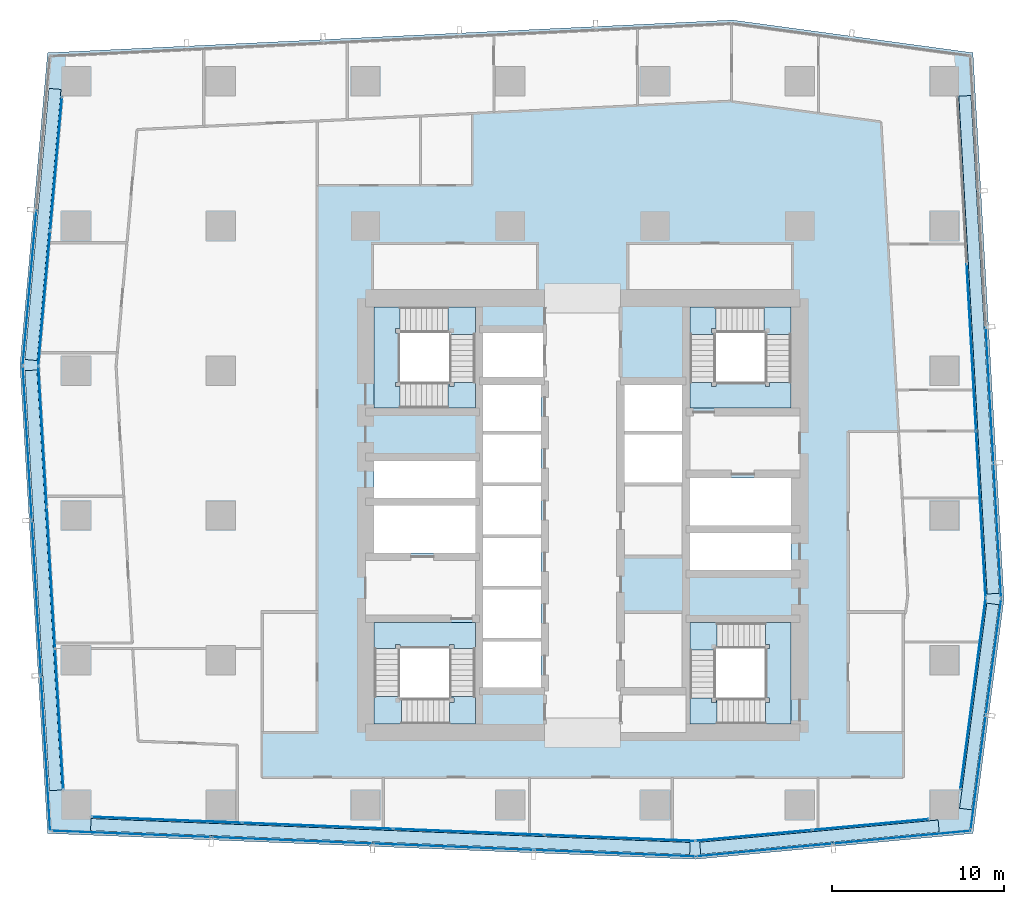
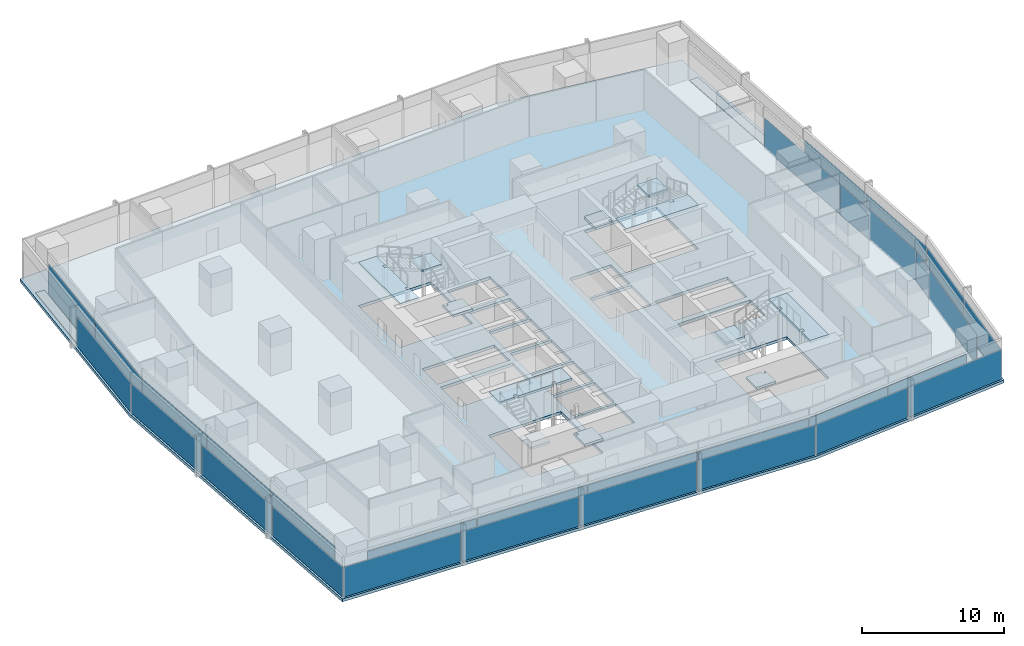
# One storey, part 26 of 39: 34 plates, 13 slabs, 16 elements without a shape of their own.
"""IFC4 building model written with IfcOpenShell, lengths in metres."""

from ifc_helpers import new_model, si_unit, direction, frame, origin, origin_2d, place, context, subcontext, project, spatial, polyline, rectangle, outline, extrude, material, layer, layer_set, type_object, element, aggregate, save


model = new_model("IFC4")

# Units and contexts
model_context = context("Model", 3, precision=1e-05, world=origin(), true_north=direction((0.0, 1.0)))
body_context = subcontext(model_context, "Body", "Model", "MODEL_VIEW")
ifc_project = project(units=[si_unit("LENGTHUNIT", "METRE"), si_unit("AREAUNIT", "SQUARE_METRE"), si_unit("VOLUMEUNIT", "CUBIC_METRE"), si_unit("PLANEANGLEUNIT", "RADIAN"), si_unit("MASSUNIT", "GRAM", prefix="KILO")], contexts=[model_context])

# Site, building, storey
site_placement = place(None, origin())
site = spatial("IfcSite", under=ifc_project, at=site_placement, CompositionType="ELEMENT")
building_placement = place(site_placement, origin())
building = spatial("IfcBuilding", under=site, at=building_placement, Name="Rekha Terrace Tower", CompositionType="ELEMENT")
storey_placement = place(building_placement, frame((0.0, 0.0, 183.949951171875)))
storey = spatial("IfcBuildingStorey", under=building, at=storey_placement, Name="L46", CompositionType="ELEMENT", Elevation=183.949951171875)

# Curtain wall, plates
ifc_material_1 = material(Name="Aluminium framing", Category="aluminium")
curtain_wall_type_1 = type_object("IfcCurtainWallType", Name="CW1 double skin inner glazing", PredefinedType="USERDEFINED", material=ifc_material_1)
curtain_wall_1_placement = place(storey_placement, origin())
curtain_wall_1 = element("IfcCurtainWall", 1, at=curtain_wall_1_placement, inside=storey, type_object=curtain_wall_type_1, Name="CW1 double skin inner glazing", ObjectType="DOUBLE SKIN INNER GLAZING", PredefinedType="USERDEFINED")
ifc_material_2 = material(Name="Double-glazed low-e unit 32", Category="glass")
ifc_layer_1 = layer(ifc_material_2, 0.031982421875)
ifc_layer_set_1 = layer_set([ifc_layer_1], Name="Double-glazed low-e unit 32")
plate_type_1 = type_object("IfcPlateType", Name="CW1 jumbo vision panel, double-glazed low-e unit 32", PredefinedType="CURTAIN_PANEL", material=ifc_layer_set_1)
plate_1_placement = place(storey_placement, frame((13.669677734375, 15.934814453125, 0.0), z_axis=(0.0, 0.0, 1.0), x_axis=(0.999204775799, -0.039872497044, 0.0)))
plate_1 = element("IfcPlate", 2, at=plate_1_placement, type_object=plate_type_1, Name="CW1 panel 1.1", PredefinedType="CURTAIN_PANEL", context=body_context, shape_type="SweptSolid", body=[
    extrude(rectangle(XDim=8.6689453125, YDim=0.031982421875, at=origin_2d()), origin(), (0.0, 0.0, 1.0), 2.60009765625),
])
plate_2_placement = place(storey_placement, frame((22.4130859375, 15.5859375, 0.0), z_axis=(0.0, 0.0, 1.0), x_axis=(0.999204775799, -0.039872497044, 0.0)))
plate_2 = element("IfcPlate", 3, at=plate_2_placement, type_object=plate_type_1, Name="CW1 panel 2.1", PredefinedType="CURTAIN_PANEL", context=body_context, shape_type="SweptSolid", body=[
    extrude(rectangle(XDim=8.701416015625, YDim=0.031982421875, at=origin_2d()), origin(), (0.0, 0.0, 1.0), 2.60009765625),
])
plate_3_placement = place(storey_placement, frame((31.172607421875, 15.236328125, 0.0), z_axis=(0.0, 0.0, 1.0), x_axis=(0.999204775799, -0.039872497044, 0.0)))
plate_3 = element("IfcPlate", 4, at=plate_3_placement, type_object=plate_type_1, Name="CW1 panel 3.1", PredefinedType="CURTAIN_PANEL", context=body_context, shape_type="SweptSolid", body=[
    extrude(rectangle(XDim=8.701416015625, YDim=0.031982421875, at=origin_2d()), origin(), (0.0, 0.0, 1.0), 2.60009765625),
])
plate_4_placement = place(storey_placement, frame((39.9482421875, 14.885986328125, 0.0), z_axis=(0.0, 0.0, 1.0), x_axis=(0.999204775799, -0.039872497044, 0.0)))
plate_4 = element("IfcPlate", 5, at=plate_4_placement, type_object=plate_type_1, Name="CW1 panel 4.1", PredefinedType="CURTAIN_PANEL", context=body_context, shape_type="SweptSolid", body=[
    extrude(rectangle(XDim=8.73388671875, YDim=0.031982421875, at=origin_2d()), origin(), (0.0, 0.0, 1.0), 2.60009765625),
])
aggregate(curtain_wall_1, [plate_1, plate_2, plate_3, plate_4])

curtain_wall_2_placement = place(storey_placement, origin())
curtain_wall_2 = element("IfcCurtainWall", 6, at=curtain_wall_2_placement, inside=storey, type_object=curtain_wall_type_1, Name="CW1 double skin inner glazing", ObjectType="DOUBLE SKIN INNER GLAZING", PredefinedType="USERDEFINED")
plate_5_placement = place(storey_placement, frame((47.73193359375, 15.030517578125, 0.0), z_axis=(0.0, 0.0, 1.0), x_axis=(0.995693258745, 0.092708869529, 0.0)))
plate_5 = element("IfcPlate", 7, at=plate_5_placement, type_object=plate_type_1, Name="CW1 panel 1.1", PredefinedType="CURTAIN_PANEL", context=body_context, shape_type="SweptSolid", body=[
    extrude(rectangle(XDim=6.739501953125, YDim=0.031982421875, at=origin_2d()), origin(), (0.0, 0.0, 1.0), 2.60009765625),
])
plate_6_placement = place(storey_placement, frame((54.507080078125, 15.6611328125, 0.0), z_axis=(0.0, 0.0, 1.0), x_axis=(0.995693258745, 0.092708869529, 0.0)))
plate_6 = element("IfcPlate", 8, at=plate_6_placement, type_object=plate_type_1, Name="CW1 panel 2.1", PredefinedType="CURTAIN_PANEL", context=body_context, shape_type="SweptSolid", body=[
    extrude(rectangle(XDim=6.739501953125, YDim=0.031982421875, at=origin_2d()), origin(), (0.0, 0.0, 1.0), 2.60009765625),
])
aggregate(curtain_wall_2, [plate_5, plate_6])

# Curtain wall, plate
curtain_wall_3_placement = place(storey_placement, origin())
curtain_wall_3 = element("IfcCurtainWall", 9, at=curtain_wall_3_placement, inside=storey, type_object=curtain_wall_type_1, Name="CW1 double skin inner glazing", ObjectType="DOUBLE SKIN INNER GLAZING", PredefinedType="USERDEFINED")
plate_7_placement = place(storey_placement, frame((60.4541015625, 23.253173828125, 0.0), z_axis=(0.0, 0.0, 1.0), x_axis=(0.131303603023, 0.991342203194, 0.0)))
plate_7 = element("IfcPlate", 10, at=plate_7_placement, type_object=plate_type_1, Name="CW1 panel 1.1", PredefinedType="CURTAIN_PANEL", context=body_context, shape_type="SweptSolid", body=[
    extrude(rectangle(XDim=11.150146484375, YDim=0.031982421875, at=origin_2d()), origin(), (0.0, 0.0, 1.0), 2.60009765625),
])
aggregate(curtain_wall_3, [plate_7])

# Curtain wall, plates
curtain_wall_4_placement = place(storey_placement, origin())
curtain_wall_4 = element("IfcCurtainWall", 11, at=curtain_wall_4_placement, inside=storey, type_object=curtain_wall_type_1, Name="CW1 double skin inner glazing", ObjectType="DOUBLE SKIN INNER GLAZING", PredefinedType="USERDEFINED")
plate_8_placement = place(storey_placement, frame((60.909423828125, 33.653564453125, 0.0), z_axis=(0.0, 0.0, 1.0), x_axis=(-0.056673194877, 0.998392782918, 0.0)))
plate_8 = element("IfcPlate", 12, at=plate_8_placement, type_object=plate_type_1, Name="CW1 panel 1.1", PredefinedType="CURTAIN_PANEL", context=body_context, shape_type="SweptSolid", body=[
    extrude(rectangle(XDim=9.633056640625, YDim=0.031982421875, at=origin_2d()), origin(), (0.0, 0.0, 1.0), 2.60009765625),
])
plate_9_placement = place(storey_placement, frame((60.35888671875, 43.352294921875, 0.0), z_axis=(0.0, 0.0, 1.0), x_axis=(-0.056673194877, 0.998392782918, 0.0)))
plate_9 = element("IfcPlate", 13, at=plate_9_placement, type_object=plate_type_1, Name="CW1 panel 2.1", PredefinedType="CURTAIN_PANEL", context=body_context, shape_type="SweptSolid", body=[
    extrude(rectangle(XDim=9.66552734375, YDim=0.031982421875, at=origin_2d()), origin(), (0.0, 0.0, 1.0), 2.60009765625),
])
aggregate(curtain_wall_4, [plate_8, plate_9])

curtain_wall_5_placement = place(storey_placement, origin())
curtain_wall_5 = element("IfcCurtainWall", 14, at=curtain_wall_5_placement, inside=storey, type_object=curtain_wall_type_1, Name="CW1 double skin inner glazing", ObjectType="DOUBLE SKIN INNER GLAZING", PredefinedType="USERDEFINED")
plate_10_placement = place(storey_placement, frame((7.2451171875, 54.007080078125, 0.0), z_axis=(0.0, 0.0, 1.0), x_axis=(-0.087957985488, -0.996124185425, 0.0)))
plate_10 = element("IfcPlate", 15, at=plate_10_placement, type_object=plate_type_1, Name="CW1 panel 1.1", PredefinedType="CURTAIN_PANEL", context=body_context, shape_type="SweptSolid", body=[
    extrude(rectangle(XDim=7.73876953125, YDim=0.031982421875, at=origin_2d()), origin(), (0.0, 0.0, 1.0), 2.60009765625),
])
plate_11_placement = place(storey_placement, frame((6.555908203125, 46.201171875, 0.0), z_axis=(0.0, 0.0, 1.0), x_axis=(-0.087957985488, -0.996124185425, 0.0)))
plate_11 = element("IfcPlate", 16, at=plate_11_placement, type_object=plate_type_1, Name="CW1 panel 2.1", PredefinedType="CURTAIN_PANEL", context=body_context, shape_type="SweptSolid", body=[
    extrude(rectangle(XDim=7.8037109375, YDim=0.031982421875, at=origin_2d()), origin(), (0.0, 0.0, 1.0), 2.60009765625),
])
aggregate(curtain_wall_5, [plate_10, plate_11])

curtain_wall_6_placement = place(storey_placement, origin())
curtain_wall_6 = element("IfcCurtainWall", 17, at=curtain_wall_6_placement, inside=storey, type_object=curtain_wall_type_1, Name="CW1 double skin inner glazing", ObjectType="DOUBLE SKIN INNER GLAZING", PredefinedType="USERDEFINED")
plate_12_placement = place(storey_placement, frame((6.455322265625, 38.191650390625, 0.0), z_axis=(0.0, 0.0, 1.0), x_axis=(0.058765082551, -0.998271839267, 0.0)))
plate_12 = element("IfcPlate", 18, at=plate_12_placement, type_object=plate_type_1, Name="CW1 panel 1.1", PredefinedType="CURTAIN_PANEL", context=body_context, shape_type="SweptSolid", body=[
    extrude(rectangle(XDim=8.129638671875, YDim=0.031982421875, at=origin_2d()), origin(), (0.0, 0.0, 1.0), 2.60009765625),
])
plate_13_placement = place(storey_placement, frame((6.93798828125, 29.9951171875, 0.0), z_axis=(0.0, 0.0, 1.0), x_axis=(0.058765082551, -0.998271839267, 0.0)))
plate_13 = element("IfcPlate", 19, at=plate_13_placement, type_object=plate_type_1, Name="CW1 panel 2.1", PredefinedType="CURTAIN_PANEL", context=body_context, shape_type="SweptSolid", body=[
    extrude(rectangle(XDim=8.162109375, YDim=0.031982421875, at=origin_2d()), origin(), (0.0, 0.0, 1.0), 2.60009765625),
])
plate_14_placement = place(storey_placement, frame((7.42041015625, 21.79833984375, 0.0), z_axis=(0.0, 0.0, 1.0), x_axis=(0.058765082551, -0.998271839267, 0.0)))
plate_14 = element("IfcPlate", 20, at=plate_14_placement, type_object=plate_type_1, Name="CW1 panel 3.1", PredefinedType="CURTAIN_PANEL", context=body_context, shape_type="SweptSolid", body=[
    extrude(rectangle(XDim=8.129638671875, YDim=0.031982421875, at=origin_2d()), origin(), (0.0, 0.0, 1.0), 2.60009765625),
])
aggregate(curtain_wall_6, [plate_12, plate_13, plate_14])

curtain_wall_type_2 = type_object("IfcCurtainWallType", Name="CW2 double skin outer glazing", PredefinedType="USERDEFINED", material=ifc_material_1)
curtain_wall_7_placement = place(storey_placement, origin())
curtain_wall_7 = element("IfcCurtainWall", 21, at=curtain_wall_7_placement, inside=storey, type_object=curtain_wall_type_2, Name="CW2 double skin outer glazing", ObjectType="DOUBLE SKIN OUTER GLAZING", PredefinedType="USERDEFINED")
ifc_material_3 = material(Name="Toughened single glazing 12", Category="glass")
ifc_layer_2 = layer(ifc_material_3, 0.011962890625)
ifc_layer_set_2 = layer_set([ifc_layer_2], Name="Toughened single glazing 12")
plate_type_2 = type_object("IfcPlateType", Name="CW2 jumbo vision panel, toughened single glazing 12", PredefinedType="CURTAIN_PANEL", material=ifc_layer_set_2)
plate_15_placement = place(storey_placement, frame((11.6005859375, 15.116455078125, 0.0), z_axis=(0.0, 0.0, 1.0), x_axis=(0.999204775799, -0.039872497044, 0.0)))
plate_15 = element("IfcPlate", 22, at=plate_15_placement, type_object=plate_type_2, Name="CW2 panel 1.1", PredefinedType="CURTAIN_PANEL", context=body_context, shape_type="SweptSolid", body=[
    extrude(rectangle(XDim=9.24609375, YDim=0.011962890625, at=origin_2d()), origin(), (0.0, 0.0, 1.0), 2.60009765625),
])
plate_16_placement = place(storey_placement, frame((20.939208984375, 14.743896484375, 0.0), z_axis=(0.0, 0.0, 1.0), x_axis=(0.999204775799, -0.039872497044, 0.0)))
plate_16 = element("IfcPlate", 23, at=plate_16_placement, type_object=plate_type_2, Name="CW2 panel 2.1", PredefinedType="CURTAIN_PANEL", context=body_context, shape_type="SweptSolid", body=[
    extrude(rectangle(XDim=9.2861328125, YDim=0.011962890625, at=origin_2d()), origin(), (0.0, 0.0, 1.0), 2.60009765625),
])
plate_17_placement = place(storey_placement, frame((30.2978515625, 14.370361328125, 0.0), z_axis=(0.0, 0.0, 1.0), x_axis=(0.999204775799, -0.039872497044, 0.0)))
plate_17 = element("IfcPlate", 24, at=plate_17_placement, type_object=plate_type_2, Name="CW2 panel 3.1", PredefinedType="CURTAIN_PANEL", context=body_context, shape_type="SweptSolid", body=[
    extrude(rectangle(XDim=9.2861328125, YDim=0.011962890625, at=origin_2d()), origin(), (0.0, 0.0, 1.0), 2.60009765625),
])
plate_18_placement = place(storey_placement, frame((39.676513671875, 13.996337890625, 0.0), z_axis=(0.0, 0.0, 1.0), x_axis=(0.999204775799, -0.039872497044, 0.0)))
plate_18 = element("IfcPlate", 25, at=plate_18_placement, type_object=plate_type_2, Name="CW2 panel 4.1", PredefinedType="CURTAIN_PANEL", context=body_context, shape_type="SweptSolid", body=[
    extrude(rectangle(XDim=9.326171875, YDim=0.011962890625, at=origin_2d()), origin(), (0.0, 0.0, 1.0), 2.60009765625),
])
aggregate(curtain_wall_7, [plate_15, plate_16, plate_17, plate_18])

curtain_wall_8_placement = place(storey_placement, origin())
curtain_wall_8 = element("IfcCurtainWall", 26, at=curtain_wall_8_placement, inside=storey, type_object=curtain_wall_type_2, Name="CW2 double skin outer glazing", ObjectType="DOUBLE SKIN OUTER GLAZING", PredefinedType="USERDEFINED")
plate_19_placement = place(storey_placement, frame((48.348876953125, 14.183837890625, 0.0), z_axis=(0.0, 0.0, 1.0), x_axis=(0.995693258747, 0.092708869512, 0.0)))
plate_19 = element("IfcPlate", 27, at=plate_19_placement, type_object=plate_type_2, Name="CW2 panel 1.1", PredefinedType="CURTAIN_PANEL", context=body_context, shape_type="SweptSolid", body=[
    extrude(rectangle(XDim=7.900634765625, YDim=0.011962890625, at=origin_2d()), origin(), (0.0, 0.0, 1.0), 2.60009765625),
])
plate_20_placement = place(storey_placement, frame((56.3349609375, 14.927490234375, 0.0), z_axis=(0.0, 0.0, 1.0), x_axis=(0.995693258747, 0.092708869512, 0.0)))
plate_20 = element("IfcPlate", 28, at=plate_20_placement, type_object=plate_type_2, Name="CW2 panel 2.1", PredefinedType="CURTAIN_PANEL", context=body_context, shape_type="SweptSolid", body=[
    extrude(rectangle(XDim=7.980712890625, YDim=0.011962890625, at=origin_2d()), origin(), (0.0, 0.0, 1.0), 2.60009765625),
])
aggregate(curtain_wall_8, [plate_19, plate_20])

curtain_wall_9_placement = place(storey_placement, origin())
curtain_wall_9 = element("IfcCurtainWall", 29, at=curtain_wall_9_placement, inside=storey, type_object=curtain_wall_type_2, Name="CW2 double skin outer glazing", ObjectType="DOUBLE SKIN OUTER GLAZING", PredefinedType="USERDEFINED")
plate_21_placement = place(storey_placement, frame((60.756103515625, 18.679443359375, 0.0), z_axis=(0.0, 0.0, 1.0), x_axis=(0.131303603075, 0.991342203187, 0.0)))
plate_21 = element("IfcPlate", 30, at=plate_21_placement, type_object=plate_type_2, Name="CW2 panel 1.1", PredefinedType="CURTAIN_PANEL", context=body_context, shape_type="SweptSolid", body=[
    extrude(rectangle(XDim=6.6630859375, YDim=0.011962890625, at=origin_2d()), origin(), (0.0, 0.0, 1.0), 2.60009765625),
])
plate_22_placement = place(storey_placement, frame((61.646728515625, 25.40380859375, 0.0), z_axis=(0.0, 0.0, 1.0), x_axis=(0.131303603075, 0.991342203187, 0.0)))
plate_22 = element("IfcPlate", 31, at=plate_22_placement, type_object=plate_type_2, Name="CW2 panel 2.1", PredefinedType="CURTAIN_PANEL", context=body_context, shape_type="SweptSolid", body=[
    extrude(rectangle(XDim=6.742919921875, YDim=0.011962890625, at=origin_2d()), origin(), (0.0, 0.0, 1.0), 2.60009765625),
])
aggregate(curtain_wall_9, [plate_21, plate_22])

curtain_wall_10_placement = place(storey_placement, origin())
curtain_wall_10 = element("IfcCurtainWall", 32, at=curtain_wall_10_placement, inside=storey, type_object=curtain_wall_type_2, Name="CW2 double skin outer glazing", ObjectType="DOUBLE SKIN OUTER GLAZING", PredefinedType="USERDEFINED")
plate_23_placement = place(storey_placement, frame((61.8642578125, 32.71142578125, 0.0), z_axis=(0.0, 0.0, 1.0), x_axis=(-0.05667319486, 0.998392782919, 0.0)))
plate_23 = element("IfcPlate", 33, at=plate_23_placement, type_object=plate_type_2, Name="CW2 panel 1.1", PredefinedType="CURTAIN_PANEL", context=body_context, shape_type="SweptSolid", body=[
    extrude(rectangle(XDim=7.783447265625, YDim=0.011962890625, at=origin_2d()), origin(), (0.0, 0.0, 1.0), 2.60009765625),
])
plate_24_placement = place(storey_placement, frame((61.41748046875, 40.582275390625, 0.0), z_axis=(0.0, 0.0, 1.0), x_axis=(-0.05667319486, 0.998392782919, 0.0)))
plate_24 = element("IfcPlate", 34, at=plate_24_placement, type_object=plate_type_2, Name="CW2 panel 2.1", PredefinedType="CURTAIN_PANEL", context=body_context, shape_type="SweptSolid", body=[
    extrude(rectangle(XDim=7.823486328125, YDim=0.011962890625, at=origin_2d()), origin(), (0.0, 0.0, 1.0), 2.60009765625),
])
aggregate(curtain_wall_10, [plate_23, plate_24])

# Curtain wall, plate
curtain_wall_11_placement = place(storey_placement, origin())
curtain_wall_11 = element("IfcCurtainWall", 35, at=curtain_wall_11_placement, inside=storey, type_object=curtain_wall_type_2, Name="CW2 double skin outer glazing", ObjectType="DOUBLE SKIN OUTER GLAZING", PredefinedType="USERDEFINED")
plate_25_placement = place(storey_placement, frame((5.705322265625, 46.800048828125, 0.0), z_axis=(0.0, 0.0, 1.0), x_axis=(-0.087957985453, -0.996124185428, 0.0)))
plate_25 = element("IfcPlate", 36, at=plate_25_placement, type_object=plate_type_2, Name="CW2 panel 2.1", PredefinedType="CURTAIN_PANEL", context=body_context, shape_type="SweptSolid", body=[
    extrude(rectangle(XDim=8.9794921875, YDim=0.011962890625, at=origin_2d()), origin(), (0.0, 0.0, 1.0), 2.60009765625),
])
aggregate(curtain_wall_11, [plate_25])

# Curtain wall, plates
curtain_wall_12_placement = place(storey_placement, origin())
curtain_wall_12 = element("IfcCurtainWall", 37, at=curtain_wall_12_placement, inside=storey, type_object=curtain_wall_type_2, Name="CW2 double skin outer glazing", ObjectType="DOUBLE SKIN OUTER GLAZING", PredefinedType="USERDEFINED")
plate_26_placement = place(storey_placement, frame((5.57666015625, 37.8037109375, 0.0), z_axis=(0.0, 0.0, 1.0), x_axis=(0.058765082499, -0.99827183927, 0.0)))
plate_26 = element("IfcPlate", 38, at=plate_26_placement, type_object=plate_type_2, Name="CW2 panel 1.1", PredefinedType="CURTAIN_PANEL", context=body_context, shape_type="SweptSolid", body=[
    extrude(rectangle(XDim=8.903564453125, YDim=0.011962890625, at=origin_2d()), origin(), (0.0, 0.0, 1.0), 2.60009765625),
])
plate_27_placement = place(storey_placement, frame((6.105712890625, 28.81591796875, 0.0), z_axis=(0.0, 0.0, 1.0), x_axis=(0.058765082499, -0.99827183927, 0.0)))
plate_27 = element("IfcPlate", 39, at=plate_27_placement, type_object=plate_type_2, Name="CW2 panel 2.1", PredefinedType="CURTAIN_PANEL", context=body_context, shape_type="SweptSolid", body=[
    extrude(rectangle(XDim=8.943359375, YDim=0.011962890625, at=origin_2d()), origin(), (0.0, 0.0, 1.0), 2.60009765625),
])
plate_28_placement = place(storey_placement, frame((6.63720703125, 19.7880859375, 0.0), z_axis=(0.0, 0.0, 1.0), x_axis=(0.058765082499, -0.99827183927, 0.0)))
plate_28 = element("IfcPlate", 40, at=plate_28_placement, type_object=plate_type_2, Name="CW2 panel 3.1", PredefinedType="CURTAIN_PANEL", context=body_context, shape_type="SweptSolid", body=[
    extrude(rectangle(XDim=8.9833984375, YDim=0.011962890625, at=origin_2d()), origin(), (0.0, 0.0, 1.0), 2.60009765625),
])
aggregate(curtain_wall_12, [plate_26, plate_27, plate_28])

# Plates
ifc_material_4 = material(Name="Galvanised steel open grating", Category="steel")
ifc_layer_3 = layer(ifc_material_4, 0.050048828125)
ifc_layer_set_3 = layer_set([ifc_layer_3], Name="Galvanised steel open grating")
plate_type_3 = type_object("IfcPlateType", Name="GT1 cavity walkway grating 50", PredefinedType="USERDEFINED", material=ifc_layer_set_3)
plate_29_placement = place(storey_placement, frame((26.641357421875, 14.966796875, 0.0), z_axis=(0.0, 0.0, 1.0), x_axis=(0.999204775799, -0.039872497044, 0.0)))
element("IfcPlate", 41, at=plate_29_placement, inside=storey, type_object=plate_type_3, Name="Cavity walkway grating", ObjectType="CAVITY WALKWAY GRATING", PredefinedType="USERDEFINED", context=body_context, shape_type="SweptSolid", body=[
    extrude(rectangle(XDim=34.793212890625, YDim=0.705078125, at=origin_2d()), origin(), (0.0, 0.0, 1.0), 0.050048828125),
])
plate_30_placement = place(storey_placement, frame((51.540771484375, 14.93310546875, 0.0), z_axis=(0.0, 0.0, 1.0), x_axis=(0.995693258745, 0.092708869529, 0.0)))
element("IfcPlate", 42, at=plate_30_placement, inside=storey, type_object=plate_type_3, Name="Cavity walkway grating", ObjectType="CAVITY WALKWAY GRATING", PredefinedType="USERDEFINED", context=body_context, shape_type="SweptSolid", body=[
    extrude(rectangle(XDim=13.896240234375, YDim=0.705078125, at=origin_2d()), origin(), (0.0, 0.0, 1.0), 0.050048828125),
])
plate_31_placement = place(storey_placement, frame((60.81005859375, 22.5146484375, 0.0), z_axis=(0.0, 0.0, 1.0), x_axis=(0.131303603075, 0.991342203187, 0.0)))
element("IfcPlate", 43, at=plate_31_placement, inside=storey, type_object=plate_type_3, Name="Cavity walkway grating", ObjectType="CAVITY WALKWAY GRATING", PredefinedType="USERDEFINED", context=body_context, shape_type="SweptSolid", body=[
    extrude(rectangle(XDim=12.005859375, YDim=0.705078125, at=origin_2d()), origin(), (0.0, 0.0, 1.0), 0.050048828125),
])
plate_32_placement = place(storey_placement, frame((60.80078125, 43.505615234375, 0.0), z_axis=(0.0, 0.0, 1.0), x_axis=(-0.05667319486, 0.998392782919, 0.0)))
element("IfcPlate", 44, at=plate_32_placement, inside=storey, type_object=plate_type_3, Name="Cavity walkway grating", ObjectType="CAVITY WALKWAY GRATING", PredefinedType="USERDEFINED", context=body_context, shape_type="SweptSolid", body=[
    extrude(rectangle(XDim=28.932861328125, YDim=0.705078125, at=origin_2d()), origin(), (0.0, 0.0, 1.0), 0.050048828125),
])
plate_33_placement = place(storey_placement, frame((6.482666015625, 50.486328125, 0.0), z_axis=(0.0, 0.0, 1.0), x_axis=(-0.087957985471, -0.996124185427, 0.0)))
element("IfcPlate", 45, at=plate_33_placement, inside=storey, type_object=plate_type_3, Name="Cavity walkway grating", ObjectType="CAVITY WALKWAY GRATING", PredefinedType="USERDEFINED", context=body_context, shape_type="SweptSolid", body=[
    extrude(rectangle(XDim=15.7939453125, YDim=0.705078125, at=origin_2d()), origin(), (0.0, 0.0, 1.0), 0.050048828125),
])
plate_34_placement = place(storey_placement, frame((6.49658203125, 29.8359375, 0.0), z_axis=(0.0, 0.0, 1.0), x_axis=(0.058765082516, -0.998271839269, 0.0)))
element("IfcPlate", 46, at=plate_34_placement, inside=storey, type_object=plate_type_3, Name="Cavity walkway grating", ObjectType="CAVITY WALKWAY GRATING", PredefinedType="USERDEFINED", context=body_context, shape_type="SweptSolid", body=[
    extrude(rectangle(XDim=24.41357421875, YDim=0.705078125, at=origin_2d()), origin(), (0.0, 0.0, 1.0), 0.050048828125),
])

# Stair, slabs
ifc_material_5 = material(Name="Concrete M40", Category="concrete")
stair_type = type_object("IfcStairType", Name="ST30 stair, 30 risers of 125, going 310, 1500 wide flights, 3 flights", PredefinedType="HALF_TURN_STAIR", material=ifc_material_5)
stair_1_placement = place(storey_placement, origin())
stair_1 = element("IfcStair", 47, at=stair_1_placement, inside=storey, type_object=stair_type, Name="Stair ST1 L46 to L47", PredefinedType="HALF_TURN_STAIR")
ifc_layer_4 = layer(ifc_material_5, 0.199951171875)
ifc_layer_set_4 = layer_set([ifc_layer_4], Name="Concrete M40")
slab_type_1 = type_object("IfcSlabType", Name="LD1 200 concrete stair landing", PredefinedType="LANDING", material=ifc_layer_set_4)
slab_1_placement = place(storey_placement, frame((0.0, 0.0, 1.050048828125)))
slab_1 = element("IfcSlab", 48, at=slab_1_placement, type_object=slab_type_1, Name="ST1 landing 1", PredefinedType="LANDING", context=body_context, shape_type="SweptSolid", body=[
    extrude(outline(polyline([(30.074951171875, 21.5), (31.574951171875, 21.5), (31.574951171875, 23.0849609375), (30.074951171875, 23.0849609375), (30.074951171875, 23.0), (30.324951171875, 23.0), (30.324951171875, 22.75), (30.074951171875, 22.75), (30.074951171875, 21.5)])), origin(), (0.0, 0.0, 1.0), 0.199951171875),
])
slab_2_placement = place(storey_placement, frame((0.0, 0.0, 2.300048828125)))
slab_2 = element("IfcSlab", 49, at=slab_2_placement, type_object=slab_type_1, Name="ST1 landing 2", PredefinedType="LANDING", context=body_context, shape_type="SweptSolid", body=[
    extrude(outline(polyline([(27.199951171875, 23.0849609375), (25.699951171875, 23.0849609375), (25.699951171875, 21.5), (27.284912109375, 21.5), (27.284912109375, 23.0), (27.199951171875, 23.0), (27.199951171875, 23.0849609375)])), origin(), (0.0, 0.0, 1.0), 0.199951171875),
])
slab_3_placement = place(storey_placement, frame((0.0, 0.0, 3.550048828125)))
slab_3 = element("IfcSlab", 50, at=slab_3_placement, type_object=slab_type_1, Name="ST1 landing 3", PredefinedType="LANDING", context=body_context, shape_type="SweptSolid", body=[
    extrude(outline(polyline([(31.574951171875, 25.875), (31.574951171875, 27.375), (25.699951171875, 27.375), (25.699951171875, 25.875), (26.949951171875, 25.875), (26.949951171875, 26.125), (27.199951171875, 26.125), (27.199951171875, 25.875), (30.074951171875, 25.875), (30.074951171875, 26.125), (30.324951171875, 26.125), (30.324951171875, 25.875), (31.574951171875, 25.875)])), origin(), (0.0, 0.0, 1.0), 0.199951171875),
])
aggregate(stair_1, [slab_1, slab_2, slab_3])

stair_2_placement = place(storey_placement, origin())
stair_2 = element("IfcStair", 51, at=stair_2_placement, inside=storey, type_object=stair_type, Name="Stair ST2 L46 to L47", PredefinedType="HALF_TURN_STAIR")
slab_4_placement = place(storey_placement, frame((0.0, 0.0, 1.050048828125)))
slab_4 = element("IfcSlab", 52, at=slab_4_placement, type_object=slab_type_1, Name="ST2 landing 1", PredefinedType="LANDING", context=body_context, shape_type="SweptSolid", body=[
    extrude(outline(polyline([(45.52490234375, 45.699951171875), (44.02490234375, 45.699951171875), (44.02490234375, 44.114990234375), (45.52490234375, 44.114990234375), (45.52490234375, 44.199951171875), (45.27490234375, 44.199951171875), (45.27490234375, 44.449951171875), (45.52490234375, 44.449951171875), (45.52490234375, 45.699951171875)])), origin(), (0.0, 0.0, 1.0), 0.199951171875),
])
slab_5_placement = place(storey_placement, frame((0.0, 0.0, 2.300048828125)))
slab_5 = element("IfcSlab", 53, at=slab_5_placement, type_object=slab_type_1, Name="ST2 landing 2", PredefinedType="LANDING", context=body_context, shape_type="SweptSolid", body=[
    extrude(outline(polyline([(48.39990234375, 44.114990234375), (49.89990234375, 44.114990234375), (49.89990234375, 45.699951171875), (48.31494140625, 45.699951171875), (48.31494140625, 44.199951171875), (48.39990234375, 44.199951171875), (48.39990234375, 44.114990234375)])), origin(), (0.0, 0.0, 1.0), 0.199951171875),
])
slab_6_placement = place(storey_placement, frame((0.0, 0.0, 3.550048828125)))
slab_6 = element("IfcSlab", 54, at=slab_6_placement, type_object=slab_type_1, Name="ST2 landing 3", PredefinedType="LANDING", context=body_context, shape_type="SweptSolid", body=[
    extrude(outline(polyline([(44.02490234375, 41.324951171875), (44.02490234375, 39.824951171875), (49.89990234375, 39.824951171875), (49.89990234375, 41.324951171875), (48.64990234375, 41.324951171875), (48.64990234375, 41.074951171875), (48.39990234375, 41.074951171875), (48.39990234375, 41.324951171875), (45.52490234375, 41.324951171875), (45.52490234375, 41.074951171875), (45.27490234375, 41.074951171875), (45.27490234375, 41.324951171875), (44.02490234375, 41.324951171875)])), origin(), (0.0, 0.0, 1.0), 0.199951171875),
])
aggregate(stair_2, [slab_4, slab_5, slab_6])

stair_3_placement = place(storey_placement, origin())
stair_3 = element("IfcStair", 55, at=stair_3_placement, inside=storey, type_object=stair_type, Name="Stair ST3 L46 to L47", PredefinedType="HALF_TURN_STAIR")
slab_7_placement = place(storey_placement, frame((0.0, 0.0, 1.050048828125)))
slab_7 = element("IfcSlab", 56, at=slab_7_placement, type_object=slab_type_1, Name="ST3 landing 1", PredefinedType="LANDING", context=body_context, shape_type="SweptSolid", body=[
    extrude(outline(polyline([(44.02490234375, 23.0), (44.02490234375, 21.5), (45.610107421875, 21.5), (45.610107421875, 23.0), (45.52490234375, 23.0), (45.52490234375, 22.75), (45.27490234375, 22.75), (45.27490234375, 23.0), (44.02490234375, 23.0)])), origin(), (0.0, 0.0, 1.0), 0.199951171875),
])
slab_8_placement = place(storey_placement, frame((0.0, 0.0, 2.300048828125)))
slab_8 = element("IfcSlab", 57, at=slab_8_placement, type_object=slab_type_1, Name="ST3 landing 2", PredefinedType="LANDING", context=body_context, shape_type="SweptSolid", body=[
    extrude(outline(polyline([(45.610107421875, 25.875), (45.610107421875, 27.375), (44.02490234375, 27.375), (44.02490234375, 25.7900390625), (45.52490234375, 25.7900390625), (45.52490234375, 25.875), (45.610107421875, 25.875)])), origin(), (0.0, 0.0, 1.0), 0.199951171875),
])
slab_9_placement = place(storey_placement, frame((0.0, 0.0, 3.550048828125)))
slab_9 = element("IfcSlab", 58, at=slab_9_placement, type_object=slab_type_1, Name="ST3 landing 3", PredefinedType="LANDING", context=body_context, shape_type="SweptSolid", body=[
    extrude(outline(polyline([(48.39990234375, 21.5), (49.89990234375, 21.5), (49.89990234375, 27.375), (48.39990234375, 27.375), (48.39990234375, 26.125), (48.64990234375, 26.125), (48.64990234375, 25.875), (48.39990234375, 25.875), (48.39990234375, 23.0), (48.64990234375, 23.0), (48.64990234375, 22.75), (48.39990234375, 22.75), (48.39990234375, 21.5)])), origin(), (0.0, 0.0, 1.0), 0.199951171875),
])
aggregate(stair_3, [slab_7, slab_8, slab_9])

stair_4_placement = place(storey_placement, origin())
stair_4 = element("IfcStair", 59, at=stair_4_placement, inside=storey, type_object=stair_type, Name="Stair ST4 L46 to L47", PredefinedType="HALF_TURN_STAIR")
slab_10_placement = place(storey_placement, frame((0.0, 0.0, 1.050048828125)))
slab_10 = element("IfcSlab", 60, at=slab_10_placement, type_object=slab_type_1, Name="ST4 landing 1", PredefinedType="LANDING", context=body_context, shape_type="SweptSolid", body=[
    extrude(outline(polyline([(31.574951171875, 41.324951171875), (31.574951171875, 39.824951171875), (29.989990234375, 39.824951171875), (29.989990234375, 41.324951171875), (30.074951171875, 41.324951171875), (30.074951171875, 41.074951171875), (30.324951171875, 41.074951171875), (30.324951171875, 41.324951171875), (31.574951171875, 41.324951171875)])), origin(), (0.0, 0.0, 1.0), 0.199951171875),
])
slab_11_placement = place(storey_placement, frame((0.0, 0.0, 2.300048828125)))
slab_11 = element("IfcSlab", 61, at=slab_11_placement, type_object=slab_type_1, Name="ST4 landing 2", PredefinedType="LANDING", context=body_context, shape_type="SweptSolid", body=[
    extrude(outline(polyline([(29.989990234375, 44.199951171875), (29.989990234375, 45.699951171875), (31.574951171875, 45.699951171875), (31.574951171875, 44.114990234375), (30.074951171875, 44.114990234375), (30.074951171875, 44.199951171875), (29.989990234375, 44.199951171875)])), origin(), (0.0, 0.0, 1.0), 0.199951171875),
])
slab_12_placement = place(storey_placement, frame((0.0, 0.0, 3.550048828125)))
slab_12 = element("IfcSlab", 62, at=slab_12_placement, type_object=slab_type_1, Name="ST4 landing 3", PredefinedType="LANDING", context=body_context, shape_type="SweptSolid", body=[
    extrude(outline(polyline([(27.199951171875, 39.824951171875), (25.699951171875, 39.824951171875), (25.699951171875, 45.699951171875), (27.199951171875, 45.699951171875), (27.199951171875, 44.449951171875), (26.949951171875, 44.449951171875), (26.949951171875, 44.199951171875), (27.199951171875, 44.199951171875), (27.199951171875, 41.324951171875), (26.949951171875, 41.324951171875), (26.949951171875, 41.074951171875), (27.199951171875, 41.074951171875), (27.199951171875, 39.824951171875)])), origin(), (0.0, 0.0, 1.0), 0.199951171875),
])
aggregate(stair_4, [slab_10, slab_11, slab_12])

# Slab
ifc_material_6 = material(Name="Concrete M50", Category="concrete")
ifc_layer_5 = layer(ifc_material_6, 0.25)
ifc_layer_set_5 = layer_set([ifc_layer_5], Name="Concrete M50")
slab_type_2 = type_object("IfcSlabType", Name="SL4 250 post-tensioned flat plate", PredefinedType="FLOOR", material=ifc_layer_set_5)
slab_13_placement = place(storey_placement, frame((0.0, 0.0, -0.25)))
element("IfcSlab", 63, at=slab_13_placement, inside=storey, type_object=slab_type_2, Name="Post-tensioned flat plate L46", PredefinedType="FLOOR", context=body_context, shape_type="SweptSolid", body=[
    extrude(outline(polyline([(5.14990234375, 42.330078125), (6.75, 15.14990234375), (44.340087890625, 13.64990234375), (60.449951171875, 15.14990234375), (62.25, 28.739990234375), (60.449951171875, 60.449951171875), (46.488037109375, 62.35009765625), (6.75, 60.449951171875), (5.14990234375, 42.330078125)]), holes=[polyline([(31.574951171875, 27.375), (31.574951171875, 21.5), (25.699951171875, 21.5), (25.699951171875, 27.375), (31.574951171875, 27.375)]), polyline([(35.375, 26.300048828125), (35.375, 23.625), (32.02490234375, 23.625), (32.02490234375, 26.300048828125), (35.375, 26.300048828125)]), polyline([(35.375, 29.300048828125), (35.375, 26.5), (32.02490234375, 26.5), (32.02490234375, 29.300048828125), (35.375, 29.300048828125)]), polyline([(35.375, 32.300048828125), (35.375, 29.5), (32.02490234375, 29.5), (32.02490234375, 32.300048828125), (35.375, 32.300048828125)]), polyline([(31.574951171875, 34.175048828125), (31.574951171875, 31.425048828125), (25.699951171875, 31.425048828125), (25.699951171875, 34.175048828125), (31.574951171875, 34.175048828125)]), polyline([(35.375, 35.300048828125), (35.375, 32.5), (32.02490234375, 32.5), (32.02490234375, 35.300048828125), (35.375, 35.300048828125)]), polyline([(31.574951171875, 36.77490234375), (31.574951171875, 34.625), (25.699951171875, 34.625), (25.699951171875, 36.77490234375), (31.574951171875, 36.77490234375)]), polyline([(35.375, 38.300048828125), (35.375, 35.5), (32.02490234375, 35.5), (32.02490234375, 38.300048828125), (35.375, 38.300048828125)]), polyline([(31.574951171875, 45.699951171875), (31.574951171875, 39.824951171875), (25.699951171875, 39.824951171875), (25.699951171875, 45.699951171875), (31.574951171875, 45.699951171875)]), polyline([(49.89990234375, 27.375), (49.89990234375, 21.5), (44.02490234375, 21.5), (44.02490234375, 27.375), (49.89990234375, 27.375)]), polyline([(49.89990234375, 32.574951171875), (49.89990234375, 30.425048828125), (44.02490234375, 30.425048828125), (44.02490234375, 32.574951171875), (49.89990234375, 32.574951171875)]), polyline([(49.89990234375, 35.77490234375), (49.89990234375, 33.02490234375), (44.02490234375, 33.02490234375), (44.02490234375, 35.77490234375), (49.89990234375, 35.77490234375)]), polyline([(43.574951171875, 38.300048828125), (43.574951171875, 35.5), (40.22509765625, 35.5), (40.22509765625, 38.300048828125), (43.574951171875, 38.300048828125)]), polyline([(35.375, 41.175048828125), (35.375, 38.5), (32.02490234375, 38.5), (32.02490234375, 41.175048828125), (35.375, 41.175048828125)]), polyline([(43.574951171875, 41.175048828125), (43.574951171875, 38.5), (40.22509765625, 38.5), (40.22509765625, 41.175048828125), (43.574951171875, 41.175048828125)]), polyline([(49.89990234375, 39.824951171875), (44.02490234375, 39.824951171875), (44.02490234375, 45.699951171875), (49.89990234375, 45.699951171875), (49.89990234375, 39.824951171875)]), polyline([(35.5, 41.625), (32.02490234375, 41.625), (32.02490234375, 44.175048828125), (35.5, 44.175048828125), (35.5, 41.625)])]), origin(), (0.0, 0.0, 1.0), 0.25),
])

save(model, "model.ifc")
